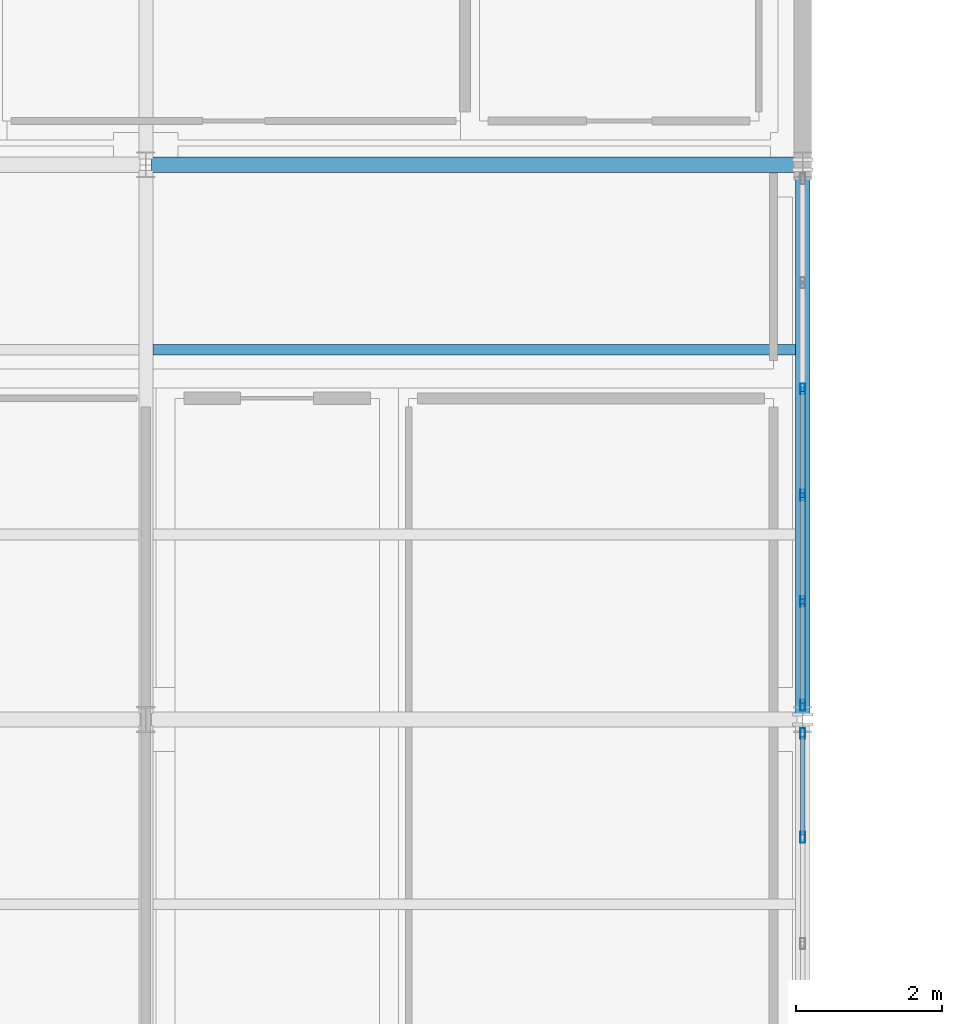
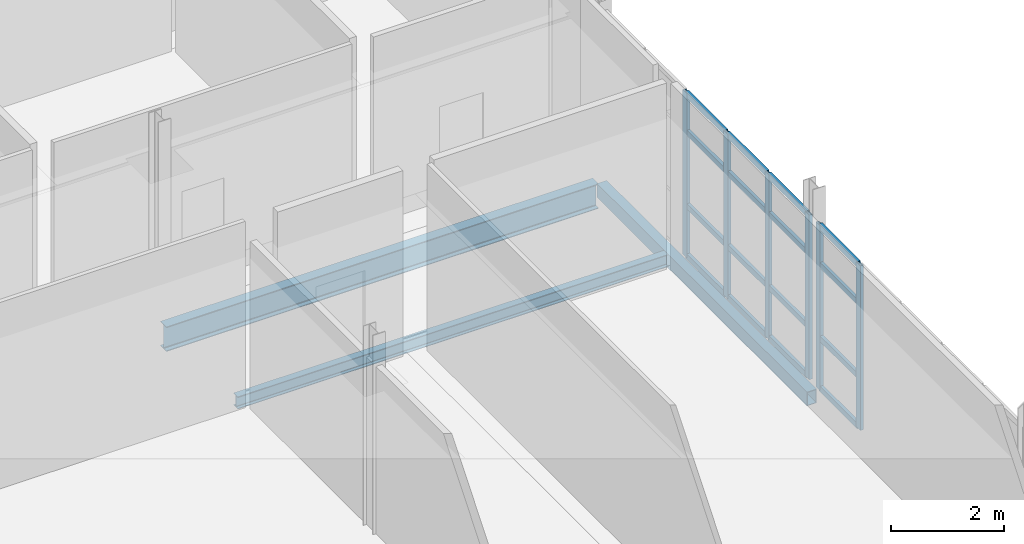
# One storey, part 125 of 174: 22 members, 3 beams, 2 elements without a shape of their own.
"""IFC4 building model written with IfcOpenShell, lengths in metres."""

from ifc_helpers import new_model, si_unit, direction, frame, origin, origin_2d, place, context, subcontext, project, spatial, hollow_rectangle, i_section, extrude, material, material_profile, profile_set, type_object, element, aggregate, save


model = new_model("IFC4")

# Units and contexts
model_context = context("Model", 3, precision=1e-05, world=origin(), true_north=direction((0.0, 1.0)))
body_context = subcontext(model_context, "Body", "Model", "MODEL_VIEW")
ifc_project = project(units=[si_unit("LENGTHUNIT", "METRE"), si_unit("AREAUNIT", "SQUARE_METRE"), si_unit("VOLUMEUNIT", "CUBIC_METRE"), si_unit("PLANEANGLEUNIT", "RADIAN"), si_unit("MASSUNIT", "GRAM", prefix="KILO")], contexts=[model_context])

# Site, building, storey
site_placement = place(None, origin())
site = spatial("IfcSite", under=ifc_project, at=site_placement, CompositionType="ELEMENT")
building_placement = place(site_placement, origin())
building = spatial("IfcBuilding", under=site, at=building_placement, Name="Caisbarro Railhouse Central Library", CompositionType="ELEMENT")
storey_placement = place(building_placement, frame((0.0, 0.0, 5.0400390625)))
storey = spatial("IfcBuildingStorey", under=building, at=storey_placement, Name="L01", CompositionType="ELEMENT", Elevation=5.0400390625)

# Beams
ifc_material_1 = material(Name="Steel ASTM A572 Grade 50", Category="steel")
ifc_material_profile_1 = material_profile(ifc_material_1, i_section(OverallWidth=0.208984375, OverallDepth=0.532958984375, WebThickness=0.01025390625, FlangeThickness=0.015625, FilletRadius=0.02001953125, at=origin_2d()), Name="W530X92.0")
ifc_profile_set_1 = profile_set([ifc_material_profile_1], Name="Steel ASTM A572 Grade 50")
beam_type_1 = type_object("IfcBeamType", Name="BM-G06", PredefinedType="BEAM", material=ifc_profile_set_1)
beam_1_placement = place(storey_placement, frame((144.080078125, 106.39990234375, -0.486572265625), z_axis=(1.0, 0.0, 0.0), x_axis=(0.0, 1.0, 0.0)))
element("IfcBeam", 1, at=beam_1_placement, inside=storey, type_object=beam_type_1, Name="G06 beam L01 #926", PredefinedType="BEAM", context=body_context, shape_type="SweptSolid", body=[
    extrude(i_section(OverallWidth=0.208984375, OverallDepth=0.532958984375, WebThickness=0.01025390625, FlangeThickness=0.015625, FilletRadius=0.02001953125, at=origin_2d()), origin(), (0.0, 0.0, 1.0), 8.83984375),
])
ifc_material_profile_2 = material_profile(ifc_material_1, i_section(OverallWidth=0.14794921875, OverallDepth=0.26611328125, WebThickness=0.007568359375, FlangeThickness=0.012939453125, FilletRadius=0.010009765625, at=origin_2d()), Name="W250X44.8")
ifc_profile_set_2 = profile_set([ifc_material_profile_2], Name="Steel ASTM A572 Grade 50")
beam_type_2 = type_object("IfcBeamType", Name="BM-J04", PredefinedType="JOIST", material=ifc_profile_set_2)
beam_2_placement = place(storey_placement, frame((144.094970703125, 103.86669921875, -0.35302734375), z_axis=(1.0, 0.0, 0.0), x_axis=(0.0, 1.0, 0.0)))
element("IfcBeam", 2, at=beam_2_placement, inside=storey, type_object=beam_type_2, Name="J04 beam L01 #1005", PredefinedType="JOIST", context=body_context, shape_type="SweptSolid", body=[
    extrude(i_section(OverallWidth=0.14794921875, OverallDepth=0.26611328125, WebThickness=0.007568359375, FlangeThickness=0.012939453125, FilletRadius=0.010009765625, at=origin_2d()), origin(), (0.0, 0.0, 1.0), 8.804931640625),
])
ifc_material_profile_3 = material_profile(ifc_material_1, hollow_rectangle(XDim=0.199951171875, YDim=0.300048828125, WallThickness=0.012451171875, at=origin_2d()), Name="HSS300X200X12.5")
ifc_profile_set_3 = profile_set([ifc_material_profile_3], Name="Steel ASTM A572 Grade 50")
beam_type_3 = type_object("IfcBeamType", Name="BM-SP02", PredefinedType="SPANDREL", material=ifc_profile_set_3)
beam_3_placement = place(storey_placement, frame((153.0, 98.8798828125, -0.3701171875), z_axis=(0.0, 1.0, 0.0), x_axis=(-1.0, 0.0, 0.0)))
element("IfcBeam", 3, at=beam_3_placement, inside=storey, type_object=beam_type_3, Name="SP02 beam L01 #962", PredefinedType="SPANDREL", context=body_context, shape_type="SweptSolid", body=[
    extrude(hollow_rectangle(XDim=0.199951171875, YDim=0.300048828125, WallThickness=0.012451171875, at=origin_2d()), origin(), (0.0, 0.0, 1.0), 7.440185546875),
])

# Curtain wall, members
ifc_material_2 = material(Name="Anodised architectural aluminium", Category="aluminium")
curtain_wall_type = type_object("IfcCurtainWallType", Name="CW-CW03", PredefinedType="NOTDEFINED", material=ifc_material_2)
curtain_wall_1_placement = place(storey_placement, origin())
curtain_wall_1 = element("IfcCurtainWall", 4, at=curtain_wall_1_placement, inside=storey, type_object=curtain_wall_type, Name="CW03 curtain wall L01 #124", PredefinedType="NOTDEFINED")
ifc_material_profile_4 = material_profile(ifc_material_2, hollow_rectangle(XDim=0.06494140625, YDim=0.14990234375, WallThickness=0.00390625, at=origin_2d()), Name="ALU-MUL-65X150")
ifc_profile_set_4 = profile_set([ifc_material_profile_4], Name="Anodised architectural aluminium")
member_type_1 = type_object("IfcMemberType", Name="CWM-M02", PredefinedType="MULLION", material=ifc_profile_set_4)
member_1_placement = place(storey_placement, frame((153.0, 97.18408203125, 0.0), z_axis=(0.0, 0.0, 1.0), x_axis=(-1.0, 0.0, 0.0)))
member_1 = element("IfcMember", 5, at=member_1_placement, type_object=member_type_1, Name="CW03 mullion 5", PredefinedType="MULLION", context=body_context, shape_type="SweptSolid", body=[
    extrude(hollow_rectangle(XDim=0.06494140625, YDim=0.14990234375, WallThickness=0.00390625, at=origin_2d()), origin(), (0.0, 0.0, 1.0), 3.56005859375),
])
member_2_placement = place(storey_placement, frame((153.0, 98.607421875, 0.0), z_axis=(0.0, 0.0, 1.0), x_axis=(-1.0, 0.0, 0.0)))
member_2 = element("IfcMember", 6, at=member_2_placement, type_object=member_type_1, Name="CW03 mullion 6", PredefinedType="MULLION", context=body_context, shape_type="SweptSolid", body=[
    extrude(hollow_rectangle(XDim=0.06494140625, YDim=0.14990234375, WallThickness=0.00390625, at=origin_2d()), origin(), (0.0, 0.0, 1.0), 3.56005859375),
])

curtain_wall_2_placement = place(storey_placement, origin())
curtain_wall_2 = element("IfcCurtainWall", 7, at=curtain_wall_2_placement, inside=storey, type_object=curtain_wall_type, Name="CW03 curtain wall L01 #125", PredefinedType="NOTDEFINED")
member_3_placement = place(storey_placement, frame((153.0, 98.992431640625, 0.0), z_axis=(0.0, 0.0, 1.0), x_axis=(-1.0, 0.0, 0.0)))
member_3 = element("IfcMember", 8, at=member_3_placement, type_object=member_type_1, Name="CW03 mullion 1", PredefinedType="MULLION", context=body_context, shape_type="SweptSolid", body=[
    extrude(hollow_rectangle(XDim=0.06494140625, YDim=0.14990234375, WallThickness=0.00390625, at=origin_2d()), origin(), (0.0, 0.0, 1.0), 3.56005859375),
])
member_4_placement = place(storey_placement, frame((153.0, 100.416015625, 0.0), z_axis=(0.0, 0.0, 1.0), x_axis=(-1.0, 0.0, 0.0)))
member_4 = element("IfcMember", 9, at=member_4_placement, type_object=member_type_1, Name="CW03 mullion 2", PredefinedType="MULLION", context=body_context, shape_type="SweptSolid", body=[
    extrude(hollow_rectangle(XDim=0.06494140625, YDim=0.14990234375, WallThickness=0.00390625, at=origin_2d()), origin(), (0.0, 0.0, 1.0), 3.56005859375),
])
member_5_placement = place(storey_placement, frame((153.0, 101.8720703125, 0.0), z_axis=(0.0, 0.0, 1.0), x_axis=(-1.0, 0.0, 0.0)))
member_5 = element("IfcMember", 10, at=member_5_placement, type_object=member_type_1, Name="CW03 mullion 3", PredefinedType="MULLION", context=body_context, shape_type="SweptSolid", body=[
    extrude(hollow_rectangle(XDim=0.06494140625, YDim=0.14990234375, WallThickness=0.00390625, at=origin_2d()), origin(), (0.0, 0.0, 1.0), 3.56005859375),
])
member_6_placement = place(storey_placement, frame((153.0, 103.327880859375, 0.0), z_axis=(0.0, 0.0, 1.0), x_axis=(-1.0, 0.0, 0.0)))
member_6 = element("IfcMember", 11, at=member_6_placement, type_object=member_type_1, Name="CW03 mullion 4", PredefinedType="MULLION", context=body_context, shape_type="SweptSolid", body=[
    extrude(hollow_rectangle(XDim=0.06494140625, YDim=0.14990234375, WallThickness=0.00390625, at=origin_2d()), origin(), (0.0, 0.0, 1.0), 3.56005859375),
])

# Member
ifc_material_profile_5 = material_profile(ifc_material_2, hollow_rectangle(XDim=0.06494140625, YDim=0.1201171875, WallThickness=0.00341796875, at=origin_2d()), Name="ALU-TRN-65X120")
ifc_profile_set_5 = profile_set([ifc_material_profile_5], Name="Anodised architectural aluminium")
member_type_2 = type_object("IfcMemberType", Name="CWT-T02", PredefinedType="USERDEFINED", material=ifc_profile_set_5)
member_7_placement = place(storey_placement, frame((153.0, 97.216552734375, 0.032470703125), z_axis=(0.0, 1.0, 0.0), x_axis=(-1.0, 0.0, 0.0)))
member_7 = element("IfcMember", 12, at=member_7_placement, type_object=member_type_2, Name="CW03 transom 5.1", ObjectType="TRANSOM", PredefinedType="USERDEFINED", context=body_context, shape_type="SweptSolid", body=[
    extrude(hollow_rectangle(XDim=0.06494140625, YDim=0.1201171875, WallThickness=0.00341796875, at=origin_2d()), origin(), (0.0, 0.0, 1.0), 1.3583984375),
])

member_8_placement = place(storey_placement, frame((153.0, 97.216552734375, 1.119873046875), z_axis=(0.0, 1.0, 0.0), x_axis=(-1.0, 0.0, 0.0)))
member_8 = element("IfcMember", 13, at=member_8_placement, type_object=member_type_2, Name="CW03 transom 5.2", ObjectType="TRANSOM", PredefinedType="USERDEFINED", context=body_context, shape_type="SweptSolid", body=[
    extrude(hollow_rectangle(XDim=0.06494140625, YDim=0.1201171875, WallThickness=0.00341796875, at=origin_2d()), origin(), (0.0, 0.0, 1.0), 1.3583984375),
])

member_9_placement = place(storey_placement, frame((153.0, 97.216552734375, 2.7099609375), z_axis=(0.0, 1.0, 0.0), x_axis=(-1.0, 0.0, 0.0)))
member_9 = element("IfcMember", 14, at=member_9_placement, type_object=member_type_2, Name="CW03 transom 5.3", ObjectType="TRANSOM", PredefinedType="USERDEFINED", context=body_context, shape_type="SweptSolid", body=[
    extrude(hollow_rectangle(XDim=0.06494140625, YDim=0.1201171875, WallThickness=0.00341796875, at=origin_2d()), origin(), (0.0, 0.0, 1.0), 1.3583984375),
])

member_10_placement = place(storey_placement, frame((153.0, 97.216552734375, 3.52734375), z_axis=(0.0, 1.0, 0.0), x_axis=(-1.0, 0.0, 0.0)))
member_10 = element("IfcMember", 15, at=member_10_placement, type_object=member_type_2, Name="CW03 transom 5.4", ObjectType="TRANSOM", PredefinedType="USERDEFINED", context=body_context, shape_type="SweptSolid", body=[
    extrude(hollow_rectangle(XDim=0.06494140625, YDim=0.1201171875, WallThickness=0.00341796875, at=origin_2d()), origin(), (0.0, 0.0, 1.0), 1.3583984375),
])

aggregate(curtain_wall_1, [member_1, member_2, member_7, member_8, member_9, member_10])

member_11_placement = place(storey_placement, frame((153.0, 99.02490234375, 0.032470703125), z_axis=(0.0, 1.0, 0.0), x_axis=(-1.0, 0.0, 0.0)))
member_11 = element("IfcMember", 16, at=member_11_placement, type_object=member_type_2, Name="CW03 transom 1.1", ObjectType="TRANSOM", PredefinedType="USERDEFINED", context=body_context, shape_type="SweptSolid", body=[
    extrude(hollow_rectangle(XDim=0.06494140625, YDim=0.1201171875, WallThickness=0.00341796875, at=origin_2d()), origin(), (0.0, 0.0, 1.0), 1.358642578125),
])

member_12_placement = place(storey_placement, frame((153.0, 99.02490234375, 1.119873046875), z_axis=(0.0, 1.0, 0.0), x_axis=(-1.0, 0.0, 0.0)))
member_12 = element("IfcMember", 17, at=member_12_placement, type_object=member_type_2, Name="CW03 transom 1.2", ObjectType="TRANSOM", PredefinedType="USERDEFINED", context=body_context, shape_type="SweptSolid", body=[
    extrude(hollow_rectangle(XDim=0.06494140625, YDim=0.1201171875, WallThickness=0.00341796875, at=origin_2d()), origin(), (0.0, 0.0, 1.0), 1.358642578125),
])

member_13_placement = place(storey_placement, frame((153.0, 99.02490234375, 2.7099609375), z_axis=(0.0, 1.0, 0.0), x_axis=(-1.0, 0.0, 0.0)))
member_13 = element("IfcMember", 18, at=member_13_placement, type_object=member_type_2, Name="CW03 transom 1.3", ObjectType="TRANSOM", PredefinedType="USERDEFINED", context=body_context, shape_type="SweptSolid", body=[
    extrude(hollow_rectangle(XDim=0.06494140625, YDim=0.1201171875, WallThickness=0.00341796875, at=origin_2d()), origin(), (0.0, 0.0, 1.0), 1.358642578125),
])

member_14_placement = place(storey_placement, frame((153.0, 99.02490234375, 3.52734375), z_axis=(0.0, 1.0, 0.0), x_axis=(-1.0, 0.0, 0.0)))
member_14 = element("IfcMember", 19, at=member_14_placement, type_object=member_type_2, Name="CW03 transom 1.4", ObjectType="TRANSOM", PredefinedType="USERDEFINED", context=body_context, shape_type="SweptSolid", body=[
    extrude(hollow_rectangle(XDim=0.06494140625, YDim=0.1201171875, WallThickness=0.00341796875, at=origin_2d()), origin(), (0.0, 0.0, 1.0), 1.358642578125),
])

member_15_placement = place(storey_placement, frame((153.0, 100.448486328125, 0.032470703125), z_axis=(0.0, 1.0, 0.0), x_axis=(-1.0, 0.0, 0.0)))
member_15 = element("IfcMember", 20, at=member_15_placement, type_object=member_type_2, Name="CW03 transom 2.1", ObjectType="TRANSOM", PredefinedType="USERDEFINED", context=body_context, shape_type="SweptSolid", body=[
    extrude(hollow_rectangle(XDim=0.06494140625, YDim=0.1201171875, WallThickness=0.00341796875, at=origin_2d()), origin(), (0.0, 0.0, 1.0), 1.39111328125),
])

member_16_placement = place(storey_placement, frame((153.0, 100.448486328125, 1.119873046875), z_axis=(0.0, 1.0, 0.0), x_axis=(-1.0, 0.0, 0.0)))
member_16 = element("IfcMember", 21, at=member_16_placement, type_object=member_type_2, Name="CW03 transom 2.2", ObjectType="TRANSOM", PredefinedType="USERDEFINED", context=body_context, shape_type="SweptSolid", body=[
    extrude(hollow_rectangle(XDim=0.06494140625, YDim=0.1201171875, WallThickness=0.00341796875, at=origin_2d()), origin(), (0.0, 0.0, 1.0), 1.39111328125),
])

member_17_placement = place(storey_placement, frame((153.0, 100.448486328125, 2.7099609375), z_axis=(0.0, 1.0, 0.0), x_axis=(-1.0, 0.0, 0.0)))
member_17 = element("IfcMember", 22, at=member_17_placement, type_object=member_type_2, Name="CW03 transom 2.3", ObjectType="TRANSOM", PredefinedType="USERDEFINED", context=body_context, shape_type="SweptSolid", body=[
    extrude(hollow_rectangle(XDim=0.06494140625, YDim=0.1201171875, WallThickness=0.00341796875, at=origin_2d()), origin(), (0.0, 0.0, 1.0), 1.39111328125),
])

member_18_placement = place(storey_placement, frame((153.0, 100.448486328125, 3.52734375), z_axis=(0.0, 1.0, 0.0), x_axis=(-1.0, 0.0, 0.0)))
member_18 = element("IfcMember", 23, at=member_18_placement, type_object=member_type_2, Name="CW03 transom 2.4", ObjectType="TRANSOM", PredefinedType="USERDEFINED", context=body_context, shape_type="SweptSolid", body=[
    extrude(hollow_rectangle(XDim=0.06494140625, YDim=0.1201171875, WallThickness=0.00341796875, at=origin_2d()), origin(), (0.0, 0.0, 1.0), 1.39111328125),
])

member_19_placement = place(storey_placement, frame((153.0, 101.904541015625, 0.032470703125), z_axis=(0.0, 1.0, 0.0), x_axis=(-1.0, 0.0, 0.0)))
member_19 = element("IfcMember", 24, at=member_19_placement, type_object=member_type_2, Name="CW03 transom 3.1", ObjectType="TRANSOM", PredefinedType="USERDEFINED", context=body_context, shape_type="SweptSolid", body=[
    extrude(hollow_rectangle(XDim=0.06494140625, YDim=0.1201171875, WallThickness=0.00341796875, at=origin_2d()), origin(), (0.0, 0.0, 1.0), 1.390869140625),
])

member_20_placement = place(storey_placement, frame((153.0, 101.904541015625, 1.119873046875), z_axis=(0.0, 1.0, 0.0), x_axis=(-1.0, 0.0, 0.0)))
member_20 = element("IfcMember", 25, at=member_20_placement, type_object=member_type_2, Name="CW03 transom 3.2", ObjectType="TRANSOM", PredefinedType="USERDEFINED", context=body_context, shape_type="SweptSolid", body=[
    extrude(hollow_rectangle(XDim=0.06494140625, YDim=0.1201171875, WallThickness=0.00341796875, at=origin_2d()), origin(), (0.0, 0.0, 1.0), 1.390869140625),
])

member_21_placement = place(storey_placement, frame((153.0, 101.904541015625, 2.7099609375), z_axis=(0.0, 1.0, 0.0), x_axis=(-1.0, 0.0, 0.0)))
member_21 = element("IfcMember", 26, at=member_21_placement, type_object=member_type_2, Name="CW03 transom 3.3", ObjectType="TRANSOM", PredefinedType="USERDEFINED", context=body_context, shape_type="SweptSolid", body=[
    extrude(hollow_rectangle(XDim=0.06494140625, YDim=0.1201171875, WallThickness=0.00341796875, at=origin_2d()), origin(), (0.0, 0.0, 1.0), 1.390869140625),
])

member_22_placement = place(storey_placement, frame((153.0, 101.904541015625, 3.52734375), z_axis=(0.0, 1.0, 0.0), x_axis=(-1.0, 0.0, 0.0)))
member_22 = element("IfcMember", 27, at=member_22_placement, type_object=member_type_2, Name="CW03 transom 3.4", ObjectType="TRANSOM", PredefinedType="USERDEFINED", context=body_context, shape_type="SweptSolid", body=[
    extrude(hollow_rectangle(XDim=0.06494140625, YDim=0.1201171875, WallThickness=0.00341796875, at=origin_2d()), origin(), (0.0, 0.0, 1.0), 1.390869140625),
])

aggregate(curtain_wall_2, [member_3, member_4, member_5, member_6, member_11, member_12, member_13, member_14, member_15, member_16, member_17, member_18, member_19, member_20, member_21, member_22])

save(model, "model.ifc")
